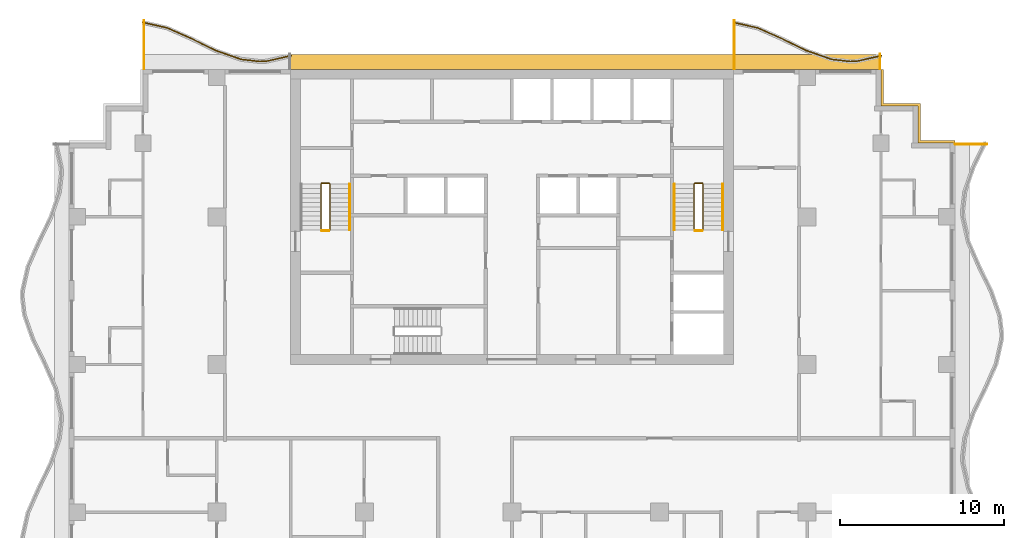
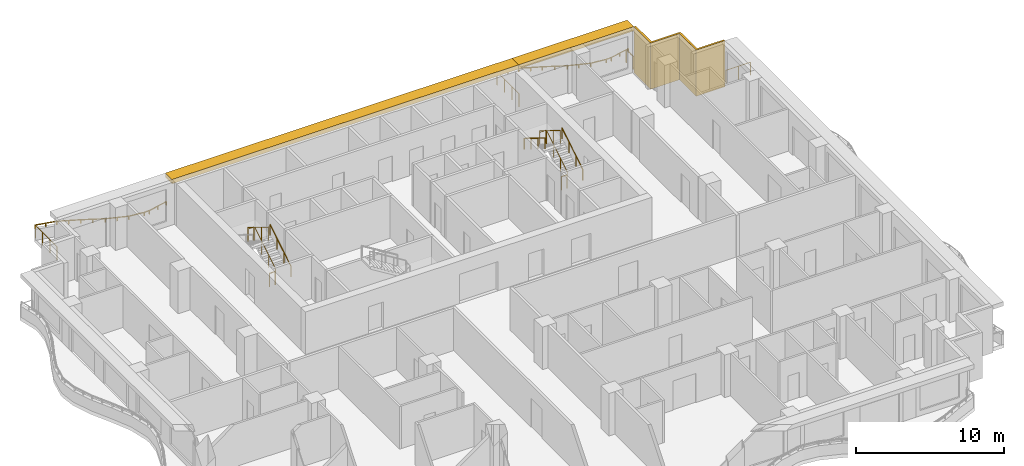
# One storey, part 11 of 11: 13 railings, 3 shading devices.
"""IFC4 building model written with IfcOpenShell, lengths in metres."""

import ifcopenshell
import ifcopenshell.guid

model = None  # the IFC model being written
_history = None  # IfcOwnerHistory: only IFC2X3 demands one
_inside = {}  # id of a spatial element -> (the spatial element, [elements in it])
_under = {}  # id of a project, library or spatial element -> (it, [spatial elements below it])
_declared = {}  # id of a project -> (the project, [libraries it declares])
_typed = {}  # id of a type object -> (the type object, [elements of that type])
_made_of = {}  # id of a material, layer set ... -> (it, [elements and type objects made of it])


def new_model(schema):
    """Start an empty IFC model of exactly this schema.

    Asked for "IFC4X3", IfcOpenShell would pick the latest addendum, in which some entities
    have other attributes; the version numbers below select the first issue.
    IFC2X3 requires an IfcOwnerHistory on every rooted entity: one is made here for all.
    """
    global model, _history
    if schema == "IFC4X3":
        model = ifcopenshell.file(schema_version=(4, 3, 0, 0))
    else:
        model = ifcopenshell.file(schema=schema)
    _inside.clear()
    _under.clear()
    _declared.clear()
    _typed.clear()
    _made_of.clear()
    _history = None
    if model.schema == "IFC2X3":
        org = make("IfcOrganization", Name="unknown")
        user = make(
            "IfcPersonAndOrganization",
            ThePerson=make("IfcPerson", FamilyName="unknown"),
            TheOrganization=org,
        )
        app = make(
            "IfcApplication",
            ApplicationDeveloper=org,
            Version="unknown",
            ApplicationFullName="unknown",
            ApplicationIdentifier="unknown",
        )
        _history = make(
            "IfcOwnerHistory",
            OwningUser=user,
            OwningApplication=app,
            ChangeAction="ADDED",
            CreationDate=0,
        )
    return model


def make(cls, **values):
    """One entity of the class cls with the attributes given. An attribute that is None is left unset."""
    return model.create_entity(
        cls, **{name: value for name, value in values.items() if value is not None}
    )


def rooted(cls, **values):
    """An entity with a GlobalId (a new one), such as an element, a storey or a relation."""
    return make(cls, GlobalId=ifcopenshell.guid.new(), OwnerHistory=_history, **values)


def si_unit(unit_type, name, prefix=None):
    """IfcSIUnit, for example si_unit("LENGTHUNIT", "METRE", prefix="MILLI")."""
    return make("IfcSIUnit", UnitType=unit_type, Prefix=prefix, Name=name)


def assignment(units):
    """IfcUnitAssignment: the units of a project."""
    return None if units is None else make("IfcUnitAssignment", Units=units)


def point(xyz):
    """IfcCartesianPoint."""
    return None if xyz is None else make("IfcCartesianPoint", Coordinates=xyz)


def direction(xyz):
    """IfcDirection."""
    return None if xyz is None else make("IfcDirection", DirectionRatios=xyz)


def frame(location, z_axis=None, x_axis=None):
    """IfcAxis2Placement3D, a coordinate frame: its origin and axes. An axis left out is left unset."""
    return make(
        "IfcAxis2Placement3D",
        Location=point(location),
        Axis=direction(z_axis),
        RefDirection=direction(x_axis),
    )


def frame_2d(location, x_axis=None):
    """IfcAxis2Placement2D, a coordinate frame in the plane: its origin and x axis."""
    return make(
        "IfcAxis2Placement2D", Location=point(location), RefDirection=direction(x_axis)
    )


def origin():
    """The frame at (0, 0, 0) with its axes left unset."""
    return frame((0.0, 0.0, 0.0))


def origin_2d():
    """The frame at (0, 0) in the plane with its x axis left unset."""
    return frame_2d((0.0, 0.0))


def place(relative_to, where):
    """IfcLocalPlacement: puts the frame where relative to a parent placement (None: the world)."""
    return make(
        "IfcLocalPlacement", PlacementRelTo=relative_to, RelativePlacement=where
    )


def context(
    kind, dimensions, precision=None, world=None, true_north=None, identifier=None
):
    """IfcGeometricRepresentationContext, for example the 3D "Model" context."""
    return make(
        "IfcGeometricRepresentationContext",
        ContextIdentifier=identifier,
        ContextType=kind,
        CoordinateSpaceDimension=dimensions,
        Precision=precision,
        WorldCoordinateSystem=world,
        TrueNorth=true_north,
    )


def subcontext(parent, identifier, kind, view, scale=None):
    """IfcGeometricRepresentationSubContext, for example "Body" below "Model"."""
    return make(
        "IfcGeometricRepresentationSubContext",
        ContextIdentifier=identifier,
        ContextType=kind,
        ParentContext=parent,
        TargetScale=scale,
        TargetView=view,
    )


def project(units=None, contexts=None):
    """IfcProject with its units and contexts."""
    return rooted(
        "IfcProject",
        Name="project",
        RepresentationContexts=contexts,
        UnitsInContext=assignment(units),
    )


def spatial(cls, under=None, at=None, **own):
    """A site, building, storey or space (cls), placed at a placement, below another one or the project."""
    s = rooted(cls, ObjectPlacement=at, **own)
    if under is not None:
        _under.setdefault(under.id(), (under, []))[1].append(s)
    return s


def polyline(points):
    """IfcPolyline through the points."""
    return make("IfcPolyline", Points=[point(p) for p in points])


def profile(cls, at=None, kind="AREA", **sizes):
    """A parametric profile (cls). Its sizes go by their IFC names, for example OverallWidth=200.0."""
    return make(cls, ProfileType=kind, Position=at, **sizes)


def rectangle(**sizes):
    """IfcRectangleProfileDef."""
    return profile("IfcRectangleProfileDef", **sizes)


def circle(**sizes):
    """IfcCircleProfileDef."""
    return profile("IfcCircleProfileDef", **sizes)


def outline(outer, holes=None, kind="AREA"):
    """IfcArbitraryClosedProfileDef: a profile drawn as a closed curve; with holes, ...WithVoids."""
    if holes is None:
        return make("IfcArbitraryClosedProfileDef", ProfileType=kind, OuterCurve=outer)
    return make(
        "IfcArbitraryProfileDefWithVoids",
        ProfileType=kind,
        OuterCurve=outer,
        InnerCurves=holes,
    )


def extrude(swept, where, along, depth):
    """IfcExtrudedAreaSolid: the profile swept, set in the frame where, extruded along a direction by depth."""
    return make(
        "IfcExtrudedAreaSolid",
        SweptArea=swept,
        Position=where,
        ExtrudedDirection=direction(along),
        Depth=depth,
    )


def shape(context_of_items, identifier, shape_type, items):
    """IfcShapeRepresentation: the items that make up one representation, for example the "Body"."""
    return make(
        "IfcShapeRepresentation",
        ContextOfItems=context_of_items,
        RepresentationIdentifier=identifier,
        RepresentationType=shape_type,
        Items=items,
    )


def material(Name=None, Category=None):
    """IfcMaterial."""
    return make("IfcMaterial", Name=Name, Category=Category)


def layer(
    of_material, thickness, ventilated=None, Name=None, Category=None, Priority=None
):
    """IfcMaterialLayer: one layer of a wall or slab, of a material (None: an air gap)."""
    return make(
        "IfcMaterialLayer",
        Material=of_material,
        LayerThickness=thickness,
        IsVentilated=ventilated,
        Name=Name,
        Category=Category,
        Priority=Priority,
    )


def layer_set(layers, Name=None):
    """IfcMaterialLayerSet."""
    return make("IfcMaterialLayerSet", MaterialLayers=layers, LayerSetName=Name)


def made_of(thing, what):
    """Note that an element or type object is made of a material, layer set ...; save() writes the relation."""
    if what is not None:
        _made_of.setdefault(what.id(), (what, []))[1].append(thing)
    return thing


def type_object(cls, material=None, **own):
    """A type object (cls), such as IfcWallType, which elements share."""
    return made_of(rooted(cls, **own), material)


def element(
    cls,
    number,
    at=None,
    inside=None,
    cuts=None,
    type_object=None,
    material=None,
    context=None,
    identifier="Body",
    shape_type=None,
    held_by="IfcProductDefinitionShape",
    body=None,
    shapes=None,
    **own,
):
    """One element of the class cls, such as IfcWall. Its Tag is "e" and its number.

    at: its placement. inside: the storey or other place that contains it. cuts: it is an
    opening in that element (IfcRelVoidsElement). A single representation is given by context,
    identifier, shape_type and body (its items); several are given by shapes. held_by: the class
    of the entity that holds the representations. save() writes the other relations.
    """
    e = rooted(cls, Tag="e%d" % number, ObjectPlacement=at, **own)
    if body is not None:
        shapes = [shape(context, identifier, shape_type, body)]
    if shapes is not None:
        e.Representation = make(held_by, Representations=shapes)
    if inside is not None:
        _inside.setdefault(inside.id(), (inside, []))[1].append(e)
    if cuts is not None:
        rooted(
            "IfcRelVoidsElement", RelatingBuildingElement=cuts, RelatedOpeningElement=e
        )
    if type_object is not None:
        _typed.setdefault(type_object.id(), (type_object, []))[1].append(e)
    return made_of(e, material)


def aggregate(whole, parts):
    """IfcRelAggregates: a whole, such as a stair, and the parts it consists of."""
    return rooted("IfcRelAggregates", RelatingObject=whole, RelatedObjects=parts)


def save(model, path):
    """Write the relations noted so far, then the file.

    IfcRelAggregates (storeys below a building ...), IfcRelContainedInSpatialStructure (elements
    in a storey), IfcRelDefinesByType, IfcRelAssociatesMaterial and IfcRelDeclares: one each for
    every whole, place, type object, material and project.
    """
    for whole, parts in _under.values():
        aggregate(whole, parts)
    for where, things in _inside.values():
        rooted(
            "IfcRelContainedInSpatialStructure",
            RelatedElements=things,
            RelatingStructure=where,
        )
    for kind, things in _typed.values():
        rooted("IfcRelDefinesByType", RelatedObjects=things, RelatingType=kind)
    for what, things in _made_of.values():
        rooted("IfcRelAssociatesMaterial", RelatedObjects=things, RelatingMaterial=what)
    for by, libraries in _declared.values():
        rooted("IfcRelDeclares", RelatingContext=by, RelatedDefinitions=libraries)
    model.write(path)


model = new_model("IFC4")

# Units and contexts
model_context = context("Model", 3, precision=1e-05, world=origin(), true_north=direction((0.0, 1.0)))
body_context = subcontext(model_context, "Body", "Model", "MODEL_VIEW")
ifc_project = project(units=[si_unit("LENGTHUNIT", "METRE"), si_unit("AREAUNIT", "SQUARE_METRE"), si_unit("VOLUMEUNIT", "CUBIC_METRE"), si_unit("PLANEANGLEUNIT", "RADIAN"), si_unit("MASSUNIT", "GRAM", prefix="KILO")], contexts=[model_context])

# Site, building, storey
site_placement = place(None, origin())
site = spatial("IfcSite", under=ifc_project, at=site_placement, CompositionType="ELEMENT")
building_placement = place(site_placement, origin())
building = spatial("IfcBuilding", under=site, at=building_placement, Name="Orbiselva Terraces", CompositionType="ELEMENT")
storey_placement = place(building_placement, frame((0.0, 0.0, 199.6)))
storey = spatial("IfcBuildingStorey", under=building, at=storey_placement, Name="L50", CompositionType="ELEMENT", Elevation=199.6)

# Railings
ifc_material_1 = material(Name="Stainless steel", Category="steel")
railing_type_1 = type_object("IfcRailingType", Name="CORE-GUARD-1100", PredefinedType="GUARDRAIL", material=ifc_material_1)
railing_1_placement = place(storey_placement, frame((-11.1, 12.7, 0.172727)))
element("IfcRailing", 1, at=railing_1_placement, inside=storey, type_object=railing_type_1, Name="L50 S1 stair guard 1", PredefinedType="GUARDRAIL", context=body_context, shape_type="SweptSolid", body=[
    extrude(circle(Radius=0.024, at=origin_2d()), frame((0.0, 0.0, 1.081), z_axis=(0.0, 0.851088519012, 0.52502222125), x_axis=(-1.0, 0.0, 0.0)), (0.0, 0.0, 1.0), 3.289905),
    extrude(circle(Radius=0.024, at=origin_2d()), frame((0.0, 2.8, 2.808273), z_axis=(-0.707106781187, 0.707106781187, 0.0), x_axis=(-0.707106781187, -0.707106781187, 0.0)), (0.0, 0.0, 1.0), 0.070711),
    extrude(circle(Radius=0.024, at=origin_2d()), frame((-0.05, 2.85, 2.808273), z_axis=(-1.0, 0.0, 0.0), x_axis=(0.0, -1.0, 0.0)), (0.0, 0.0, 1.0), 0.45),
    extrude(circle(Radius=0.024, at=origin_2d()), frame((-0.5, 2.85, 2.808273), z_axis=(-0.267894925557, -0.267894925557, 0.925453736133), x_axis=(0.707106781187, -0.707106781187, 0.0)), (0.0, 0.0, 1.0), 0.18664),
    extrude(circle(Radius=0.024, at=origin_2d()), frame((-0.55, 2.8, 2.981), z_axis=(0.0, -0.851088519012, 0.52502222125), x_axis=(1.0, 0.0, 0.0)), (0.0, 0.0, 1.0), 3.289905),
    extrude(circle(Radius=0.021, at=origin_2d()), origin(), (0.0, 0.0, 1.0), 1.057),
    extrude(circle(Radius=0.021, at=origin_2d()), frame((0.0, 0.933333, 0.575758)), (0.0, 0.0, 1.0), 1.057),
    extrude(circle(Radius=0.021, at=origin_2d()), frame((0.0, 1.866667, 1.151515)), (0.0, 0.0, 1.0), 1.057),
    extrude(circle(Radius=0.021, at=origin_2d()), frame((0.0, 2.8, 1.727273)), (0.0, 0.0, 1.0), 1.057),
    extrude(circle(Radius=0.021, at=origin_2d()), frame((-0.05, 2.85, 1.727273)), (0.0, 0.0, 1.0), 1.057),
    extrude(circle(Radius=0.021, at=origin_2d()), frame((-0.5, 2.85, 1.727273)), (0.0, 0.0, 1.0), 1.057),
    extrude(circle(Radius=0.021, at=origin_2d()), frame((-0.55, 2.8, 1.9)), (0.0, 0.0, 1.0), 1.057),
    extrude(circle(Radius=0.021, at=origin_2d()), frame((-0.55, 1.866667, 2.475758)), (0.0, 0.0, 1.0), 1.057),
    extrude(circle(Radius=0.021, at=origin_2d()), frame((-0.55, 0.933333, 3.051515)), (0.0, 0.0, 1.0), 1.057),
    extrude(circle(Radius=0.021, at=origin_2d()), frame((-0.55, 0.0, 3.627273)), (0.0, 0.0, 1.0), 1.057),
])
railing_2_placement = place(storey_placement, frame((-11.15, 12.65, 0.0)))
element("IfcRailing", 2, at=railing_2_placement, inside=storey, type_object=railing_type_1, Name="L50 S1 stair guard 2", PredefinedType="GUARDRAIL", context=body_context, shape_type="SweptSolid", body=[
    extrude(circle(Radius=0.024, at=origin_2d()), frame((0.0, 0.0, 1.081), z_axis=(-1.0, 0.0, 0.0), x_axis=(0.0, -1.0, 0.0)), (0.0, 0.0, 1.0), 0.45),
    extrude(circle(Radius=0.021, at=origin_2d()), origin(), (0.0, 0.0, 1.0), 1.057),
    extrude(circle(Radius=0.021, at=origin_2d()), frame((-0.45, 0.0, 0.0)), (0.0, 0.0, 1.0), 1.057),
])
railing_3_placement = place(storey_placement, frame((11.65, 12.7, 0.172727)))
element("IfcRailing", 3, at=railing_3_placement, inside=storey, type_object=railing_type_1, Name="L50 S2 stair guard 1", PredefinedType="GUARDRAIL", context=body_context, shape_type="SweptSolid", body=[
    extrude(circle(Radius=0.024, at=origin_2d()), frame((0.0, 0.0, 1.081), z_axis=(0.0, 0.851088519012, 0.52502222125), x_axis=(-1.0, 0.0, 0.0)), (0.0, 0.0, 1.0), 3.289905),
    extrude(circle(Radius=0.024, at=origin_2d()), frame((0.0, 2.8, 2.808273), z_axis=(-0.707106781187, 0.707106781187, 0.0), x_axis=(-0.707106781187, -0.707106781187, 0.0)), (0.0, 0.0, 1.0), 0.070711),
    extrude(circle(Radius=0.024, at=origin_2d()), frame((-0.05, 2.85, 2.808273), z_axis=(-1.0, 0.0, 0.0), x_axis=(0.0, -1.0, 0.0)), (0.0, 0.0, 1.0), 0.45),
    extrude(circle(Radius=0.024, at=origin_2d()), frame((-0.5, 2.85, 2.808273), z_axis=(-0.267894925557, -0.267894925557, 0.925453736133), x_axis=(0.707106781187, -0.707106781187, 0.0)), (0.0, 0.0, 1.0), 0.18664),
    extrude(circle(Radius=0.024, at=origin_2d()), frame((-0.55, 2.8, 2.981), z_axis=(0.0, -0.851088519012, 0.52502222125), x_axis=(1.0, 0.0, 0.0)), (0.0, 0.0, 1.0), 3.289905),
    extrude(circle(Radius=0.021, at=origin_2d()), origin(), (0.0, 0.0, 1.0), 1.057),
    extrude(circle(Radius=0.021, at=origin_2d()), frame((0.0, 0.933333, 0.575758)), (0.0, 0.0, 1.0), 1.057),
    extrude(circle(Radius=0.021, at=origin_2d()), frame((0.0, 1.866667, 1.151515)), (0.0, 0.0, 1.0), 1.057),
    extrude(circle(Radius=0.021, at=origin_2d()), frame((0.0, 2.8, 1.727273)), (0.0, 0.0, 1.0), 1.057),
    extrude(circle(Radius=0.021, at=origin_2d()), frame((-0.05, 2.85, 1.727273)), (0.0, 0.0, 1.0), 1.057),
    extrude(circle(Radius=0.021, at=origin_2d()), frame((-0.5, 2.85, 1.727273)), (0.0, 0.0, 1.0), 1.057),
    extrude(circle(Radius=0.021, at=origin_2d()), frame((-0.55, 2.8, 1.9)), (0.0, 0.0, 1.0), 1.057),
    extrude(circle(Radius=0.021, at=origin_2d()), frame((-0.55, 1.866667, 2.475758)), (0.0, 0.0, 1.0), 1.057),
    extrude(circle(Radius=0.021, at=origin_2d()), frame((-0.55, 0.933333, 3.051515)), (0.0, 0.0, 1.0), 1.057),
    extrude(circle(Radius=0.021, at=origin_2d()), frame((-0.55, 0.0, 3.627273)), (0.0, 0.0, 1.0), 1.057),
])
railing_4_placement = place(storey_placement, frame((11.6, 12.65, 0.0)))
element("IfcRailing", 4, at=railing_4_placement, inside=storey, type_object=railing_type_1, Name="L50 S2 stair guard 2", PredefinedType="GUARDRAIL", context=body_context, shape_type="SweptSolid", body=[
    extrude(circle(Radius=0.024, at=origin_2d()), frame((0.0, 0.0, 1.081), z_axis=(-1.0, 0.0, 0.0), x_axis=(0.0, -1.0, 0.0)), (0.0, 0.0, 1.0), 0.45),
    extrude(circle(Radius=0.021, at=origin_2d()), origin(), (0.0, 0.0, 1.0), 1.057),
    extrude(circle(Radius=0.021, at=origin_2d()), frame((-0.45, 0.0, 0.0)), (0.0, 0.0, 1.0), 1.057),
])
railing_type_2 = type_object("IfcRailingType", Name="CORE-HANDRAIL-900", PredefinedType="HANDRAIL", material=ifc_material_1)
for number, where, name in (
    (5, (-9.9, 12.7, 0.172727), "L50 S1 stair handrail 1"),
    (6, (12.85, 12.7, 0.172727), "L50 S2 stair handrail 1"),
):
    element("IfcRailing", number, at=place(storey_placement, frame(where)), inside=storey, type_object=railing_type_2, Name=name, PredefinedType="HANDRAIL", context=body_context, shape_type="SweptSolid", body=[
        extrude(circle(Radius=0.024, at=origin_2d()), frame((0.0, 0.0, 0.876), z_axis=(0.0, 0.851088519012, 0.52502222125), x_axis=(-1.0, 0.0, 0.0)), (0.0, 0.0, 1.0), 3.289905),
        extrude(circle(Radius=0.021, at=origin_2d()), origin(), (0.0, 0.0, 1.0), 0.852),
        extrude(circle(Radius=0.021, at=origin_2d()), frame((0.0, 0.933333, 0.575758)), (0.0, 0.0, 1.0), 0.852),
        extrude(circle(Radius=0.021, at=origin_2d()), frame((0.0, 1.866667, 1.151515)), (0.0, 0.0, 1.0), 0.852),
        extrude(circle(Radius=0.021, at=origin_2d()), frame((0.0, 2.8, 1.727273)), (0.0, 0.0, 1.0), 0.852),
    ])
railing_5_placement = place(storey_placement, frame((9.9, 15.5, 2.072727)))
element("IfcRailing", 7, at=railing_5_placement, inside=storey, type_object=railing_type_2, Name="L50 S2 stair handrail 2", PredefinedType="HANDRAIL", context=body_context, shape_type="SweptSolid", body=[
    extrude(circle(Radius=0.024, at=origin_2d()), frame((0.0, 0.0, 0.876), z_axis=(0.0, -0.851088519012, 0.52502222125), x_axis=(1.0, 0.0, 0.0)), (0.0, 0.0, 1.0), 3.289905),
    extrude(circle(Radius=0.021, at=origin_2d()), origin(), (0.0, 0.0, 1.0), 0.852),
    extrude(circle(Radius=0.021, at=origin_2d()), frame((0.0, -0.933333, 0.575758)), (0.0, 0.0, 1.0), 0.852),
    extrude(circle(Radius=0.021, at=origin_2d()), frame((0.0, -1.866667, 1.151515)), (0.0, 0.0, 1.0), 0.852),
    extrude(circle(Radius=0.021, at=origin_2d()), frame((0.0, -2.8, 1.727273)), (0.0, 0.0, 1.0), 0.852),
])
ifc_material_2 = material(Name="Bonded two-ply safety glass balustrade, stainless steel posts", Category="steel")
railing_type_3 = type_object("IfcRailingType", Name="ENV-BALUSTRADE-1200", PredefinedType="BALUSTRADE", material=ifc_material_2)
railing_6_placement = place(storey_placement, frame((22.527377, 23.329507, 0.9)))
element("IfcRailing", 8, at=railing_6_placement, inside=storey, type_object=railing_type_3, Name="Balcony balustrade L50 NE", PredefinedType="BALUSTRADE", context=body_context, shape_type="SweptSolid", body=[
    extrude(outline(polyline([(0.028868, 0.0), (0.014434, 0.025), (-0.014434, 0.025), (-0.028868, 0.0), (-0.014434, -0.025), (0.014434, -0.025), (0.028868, 0.0)])), frame((0.0, 0.0, 0.275), z_axis=(-0.97572138316, -0.219015484484, 0.0), x_axis=(0.219015484484, -0.97572138316, 0.0)), (0.0, 0.0, 1.0), 1.548694),
    extrude(outline(polyline([(0.028868, 0.0), (0.014434, 0.025), (-0.014434, 0.025), (-0.028868, 0.0), (-0.014434, -0.025), (0.014434, -0.025), (0.028868, 0.0)])), frame((-1.511094, -0.339188, 0.275), z_axis=(-0.999224734286, -0.03936915532, 0.0), x_axis=(0.03936915532, -0.999224734286, 0.0)), (0.0, 0.0, 1.0), 0.396376),
    extrude(outline(polyline([(0.028868, 0.0), (0.014434, 0.025), (-0.014434, 0.025), (-0.028868, 0.0), (-0.014434, -0.025), (0.014434, -0.025), (0.028868, 0.0)])), frame((-1.907163, -0.354793, 0.275), z_axis=(-0.993309551734, 0.115482182324, 0.0), x_axis=(-0.115482182324, -0.993309551734, 0.0)), (0.0, 0.0, 1.0), 1.156135),
    extrude(outline(polyline([(0.028868, 0.0), (0.014434, 0.025), (-0.014434, 0.025), (-0.028868, 0.0), (-0.014434, -0.025), (0.014434, -0.025), (0.028868, 0.0)])), frame((-3.055563, -0.22128, 0.275), z_axis=(-0.943972332783, 0.330024597479, 0.0), x_axis=(-0.330024597479, -0.943972332783, 0.0)), (0.0, 0.0, 1.0), 1.610253),
    extrude(outline(polyline([(0.028868, 0.0), (0.014434, 0.025), (-0.014434, 0.025), (-0.028868, 0.0), (-0.014434, -0.025), (0.014434, -0.025), (0.028868, 0.0)])), frame((-4.575597, 0.310143, 0.275), z_axis=(-0.898578870221, 0.438812048596, 0.0), x_axis=(-0.438812048596, -0.898578870221, 0.0)), (0.0, 0.0, 1.0), 1.674225),
    extrude(outline(polyline([(0.028868, 0.0), (0.014434, 0.025), (-0.014434, 0.025), (-0.028868, 0.0), (-0.014434, -0.025), (0.014434, -0.025), (0.028868, 0.0)])), frame((-6.08002, 1.044813, 0.275), z_axis=(-0.915133363686, 0.403151245402, 0.0), x_axis=(-0.403151245402, -0.915133363686, 0.0)), (0.0, 0.0, 1.0), 1.624475),
    extrude(outline(polyline([(0.028868, 0.0), (0.014434, 0.025), (-0.014434, 0.025), (-0.028868, 0.0), (-0.014434, -0.025), (0.014434, -0.025), (0.028868, 0.0)])), frame((-7.566631, 1.699722, 0.275), z_axis=(-0.975721356559, 0.219015602994, 0.0), x_axis=(-0.219015602994, -0.975721356559, 0.0)), (0.0, 0.0, 1.0), 1.525152),
    extrude(rectangle(XDim=0.05, YDim=0.05, at=origin_2d()), origin(), (0.0, 0.0, 1.0), 0.25),
    extrude(rectangle(XDim=0.05, YDim=0.05, at=origin_2d()), frame((-0.755547, -0.169594, 0.0)), (0.0, 0.0, 1.0), 0.25),
    extrude(rectangle(XDim=0.05, YDim=0.05, at=origin_2d()), frame((-1.511094, -0.339188, 0.0)), (0.0, 0.0, 1.0), 0.25),
    extrude(rectangle(XDim=0.05, YDim=0.05, at=origin_2d()), frame((-1.907163, -0.354793, 0.0)), (0.0, 0.0, 1.0), 0.25),
    extrude(rectangle(XDim=0.05, YDim=0.05, at=origin_2d()), frame((-3.055563, -0.22128, 0.0)), (0.0, 0.0, 1.0), 0.25),
    extrude(rectangle(XDim=0.05, YDim=0.05, at=origin_2d()), frame((-3.81558, 0.044431, 0.0)), (0.0, 0.0, 1.0), 0.25),
    extrude(rectangle(XDim=0.05, YDim=0.05, at=origin_2d()), frame((-4.575597, 0.310143, 0.0)), (0.0, 0.0, 1.0), 0.25),
    extrude(rectangle(XDim=0.05, YDim=0.05, at=origin_2d()), frame((-5.327809, 0.677478, 0.0)), (0.0, 0.0, 1.0), 0.25),
    extrude(rectangle(XDim=0.05, YDim=0.05, at=origin_2d()), frame((-6.08002, 1.044813, 0.0)), (0.0, 0.0, 1.0), 0.25),
    extrude(rectangle(XDim=0.05, YDim=0.05, at=origin_2d()), frame((-6.823326, 1.372268, 0.0)), (0.0, 0.0, 1.0), 0.25),
    extrude(rectangle(XDim=0.05, YDim=0.05, at=origin_2d()), frame((-7.566631, 1.699722, 0.0)), (0.0, 0.0, 1.0), 0.25),
    extrude(rectangle(XDim=0.05, YDim=0.05, at=origin_2d()), frame((-8.310693, 1.866738, 0.0)), (0.0, 0.0, 1.0), 0.25),
    extrude(rectangle(XDim=0.05, YDim=0.05, at=origin_2d()), frame((-9.054754, 2.033754, 0.0)), (0.0, 0.0, 1.0), 0.25),
])
railing_7_placement = place(storey_placement, frame((-13.472623, 23.329507, 0.9)))
element("IfcRailing", 9, at=railing_7_placement, inside=storey, type_object=railing_type_3, Name="Balcony balustrade L50 NW", PredefinedType="BALUSTRADE", context=body_context, shape_type="SweptSolid", body=[
    extrude(outline(polyline([(0.028868, 0.0), (0.014434, 0.025), (-0.014434, 0.025), (-0.028868, 0.0), (-0.014434, -0.025), (0.014434, -0.025), (0.028868, 0.0)])), frame((0.0, 0.0, 0.275), z_axis=(-0.97572138316, -0.219015484484, 0.0), x_axis=(0.219015484484, -0.97572138316, 0.0)), (0.0, 0.0, 1.0), 1.548694),
    extrude(outline(polyline([(0.028868, 0.0), (0.014434, 0.025), (-0.014434, 0.025), (-0.028868, 0.0), (-0.014434, -0.025), (0.014434, -0.025), (0.028868, 0.0)])), frame((-1.511094, -0.339188, 0.275), z_axis=(-0.999224734286, -0.03936915532, 0.0), x_axis=(0.03936915532, -0.999224734286, 0.0)), (0.0, 0.0, 1.0), 0.396376),
    extrude(outline(polyline([(0.028868, 0.0), (0.014434, 0.025), (-0.014434, 0.025), (-0.028868, 0.0), (-0.014434, -0.025), (0.014434, -0.025), (0.028868, 0.0)])), frame((-1.907163, -0.354793, 0.275), z_axis=(-0.993309551734, 0.115482182324, 0.0), x_axis=(-0.115482182324, -0.993309551734, 0.0)), (0.0, 0.0, 1.0), 1.156135),
    extrude(outline(polyline([(0.028868, 0.0), (0.014434, 0.025), (-0.014434, 0.025), (-0.028868, 0.0), (-0.014434, -0.025), (0.014434, -0.025), (0.028868, 0.0)])), frame((-3.055563, -0.22128, 0.275), z_axis=(-0.943972332783, 0.330024597479, 0.0), x_axis=(-0.330024597479, -0.943972332783, 0.0)), (0.0, 0.0, 1.0), 1.610253),
    extrude(outline(polyline([(0.028868, 0.0), (0.014434, 0.025), (-0.014434, 0.025), (-0.028868, 0.0), (-0.014434, -0.025), (0.014434, -0.025), (0.028868, 0.0)])), frame((-4.575597, 0.310143, 0.275), z_axis=(-0.898578870221, 0.438812048596, 0.0), x_axis=(-0.438812048596, -0.898578870221, 0.0)), (0.0, 0.0, 1.0), 1.674225),
    extrude(outline(polyline([(0.028868, 0.0), (0.014434, 0.025), (-0.014434, 0.025), (-0.028868, 0.0), (-0.014434, -0.025), (0.014434, -0.025), (0.028868, 0.0)])), frame((-6.08002, 1.044813, 0.275), z_axis=(-0.915133363686, 0.403151245402, 0.0), x_axis=(-0.403151245402, -0.915133363686, 0.0)), (0.0, 0.0, 1.0), 1.624475),
    extrude(outline(polyline([(0.028868, 0.0), (0.014434, 0.025), (-0.014434, 0.025), (-0.028868, 0.0), (-0.014434, -0.025), (0.014434, -0.025), (0.028868, 0.0)])), frame((-7.566631, 1.699722, 0.275), z_axis=(-0.975721356559, 0.219015602994, 0.0), x_axis=(-0.219015602994, -0.975721356559, 0.0)), (0.0, 0.0, 1.0), 1.525152),
    extrude(rectangle(XDim=0.05, YDim=0.05, at=origin_2d()), origin(), (0.0, 0.0, 1.0), 0.25),
    extrude(rectangle(XDim=0.05, YDim=0.05, at=origin_2d()), frame((-0.755547, -0.169594, 0.0)), (0.0, 0.0, 1.0), 0.25),
    extrude(rectangle(XDim=0.05, YDim=0.05, at=origin_2d()), frame((-1.511094, -0.339188, 0.0)), (0.0, 0.0, 1.0), 0.25),
    extrude(rectangle(XDim=0.05, YDim=0.05, at=origin_2d()), frame((-1.907163, -0.354793, 0.0)), (0.0, 0.0, 1.0), 0.25),
    extrude(rectangle(XDim=0.05, YDim=0.05, at=origin_2d()), frame((-3.055563, -0.22128, 0.0)), (0.0, 0.0, 1.0), 0.25),
    extrude(rectangle(XDim=0.05, YDim=0.05, at=origin_2d()), frame((-3.81558, 0.044431, 0.0)), (0.0, 0.0, 1.0), 0.25),
    extrude(rectangle(XDim=0.05, YDim=0.05, at=origin_2d()), frame((-4.575597, 0.310143, 0.0)), (0.0, 0.0, 1.0), 0.25),
    extrude(rectangle(XDim=0.05, YDim=0.05, at=origin_2d()), frame((-5.327808, 0.677478, 0.0)), (0.0, 0.0, 1.0), 0.25),
    extrude(rectangle(XDim=0.05, YDim=0.05, at=origin_2d()), frame((-6.08002, 1.044813, 0.0)), (0.0, 0.0, 1.0), 0.25),
    extrude(rectangle(XDim=0.05, YDim=0.05, at=origin_2d()), frame((-6.823325, 1.372268, 0.0)), (0.0, 0.0, 1.0), 0.25),
    extrude(rectangle(XDim=0.05, YDim=0.05, at=origin_2d()), frame((-7.566631, 1.699722, 0.0)), (0.0, 0.0, 1.0), 0.25),
    extrude(rectangle(XDim=0.05, YDim=0.05, at=origin_2d()), frame((-8.310692, 1.866738, 0.0)), (0.0, 0.0, 1.0), 0.25),
    extrude(rectangle(XDim=0.05, YDim=0.05, at=origin_2d()), frame((-9.054754, 2.033754, 0.0)), (0.0, 0.0, 1.0), 0.25),
])
ifc_material_3 = material(Name="Stainless steel rail and posts", Category="steel")
railing_type_4 = type_object("IfcRailingType", Name="ENV-GUARD-1105", PredefinedType="BALUSTRADE", material=ifc_material_3)
railing_8_placement = place(storey_placement, frame((28.957877, 17.94, 0.0)))
element("IfcRailing", 10, at=railing_8_placement, inside=storey, type_object=railing_type_4, Name="Balcony end guard L50 E", PredefinedType="BALUSTRADE", context=body_context, shape_type="SweptSolid", body=[
    extrude(outline(polyline([(0.028868, 0.0), (0.014434, 0.025), (-0.014434, 0.025), (-0.028868, 0.0), (-0.014434, -0.025), (0.014434, -0.025), (0.028868, 0.0)])), frame((0.0, 0.0, 1.08), z_axis=(-1.0, 0.0, 0.0), x_axis=(0.0, -1.0, 0.0)), (0.0, 0.0, 1.0), 1.932877),
    extrude(rectangle(XDim=0.05, YDim=0.05, at=origin_2d()), origin(), (0.0, 0.0, 1.0), 1.055),
    extrude(rectangle(XDim=0.05, YDim=0.05, at=origin_2d()), frame((-0.966439, 0.0, 0.0)), (0.0, 0.0, 1.0), 1.055),
    extrude(rectangle(XDim=0.05, YDim=0.05, at=origin_2d()), frame((-1.932877, 0.0, 0.0)), (0.0, 0.0, 1.0), 1.055),
])
railing_9_placement = place(storey_placement, frame((22.44, 23.430416, 0.0)))
element("IfcRailing", 11, at=railing_9_placement, inside=storey, type_object=railing_type_4, Name="Balcony end guard L50 NE", PredefinedType="BALUSTRADE", context=body_context, shape_type="SweptSolid", body=[
    extrude(outline(polyline([(0.028868, 0.0), (0.014434, 0.025), (-0.014434, 0.025), (-0.028868, 0.0), (-0.014434, -0.025), (0.014434, -0.025), (0.028868, 0.0)])), frame((0.0, 0.0, 1.08), z_axis=(0.0, -1.0, 0.0), x_axis=(1.0, 0.0, 0.0)), (0.0, 0.0, 1.0), 0.905416),
    extrude(rectangle(XDim=0.05, YDim=0.05, at=origin_2d()), origin(), (0.0, 0.0, 1.0), 1.055),
    extrude(rectangle(XDim=0.05, YDim=0.05, at=origin_2d()), frame((0.0, -0.905416, 0.0)), (0.0, 0.0, 1.0), 1.055),
])
for number, where, name in (
    (12, (13.56, 25.480134, 0.0), "Balcony end guard L50 NE"),
    (13, (-22.44, 25.480134, 0.0), "Balcony end guard L50 NW"),
):
    element("IfcRailing", number, at=place(storey_placement, frame(where)), inside=storey, type_object=railing_type_4, Name=name, PredefinedType="BALUSTRADE", context=body_context, shape_type="SweptSolid", body=[
        extrude(outline(polyline([(0.028868, 0.0), (0.014434, 0.025), (-0.014434, 0.025), (-0.028868, 0.0), (-0.014434, -0.025), (0.014434, -0.025), (0.028868, 0.0)])), frame((0.0, 0.0, 1.08), z_axis=(0.0, -1.0, 0.0), x_axis=(1.0, 0.0, 0.0)), (0.0, 0.0, 1.0), 2.955134),
        extrude(rectangle(XDim=0.05, YDim=0.05, at=origin_2d()), origin(), (0.0, 0.0, 1.0), 1.055),
        extrude(rectangle(XDim=0.05, YDim=0.05, at=origin_2d()), frame((0.0, -0.985045, 0.0)), (0.0, 0.0, 1.0), 1.055),
        extrude(rectangle(XDim=0.05, YDim=0.05, at=origin_2d()), frame((0.0, -1.970089, 0.0)), (0.0, 0.0, 1.0), 1.055),
        extrude(rectangle(XDim=0.05, YDim=0.05, at=origin_2d()), frame((0.0, -2.955134, 0.0)), (0.0, 0.0, 1.0), 1.055),
    ])

# Shading devices
ifc_material_4 = material(Name="Terracotta louvre screen", Category="masonry")
ifc_layer_1 = layer(ifc_material_4, 0.15)
ifc_layer_set_1 = layer_set([ifc_layer_1], Name="Terracotta louvre screen")
shading_device_type_1 = type_object("IfcShadingDeviceType", Name="ENV-SCREEN-150", PredefinedType="USERDEFINED", material=ifc_layer_set_1)
shading_device_1_placement = place(storey_placement, frame((0.0, 0.0, -0.3)))
element("IfcShadingDevice", 14, at=shading_device_1_placement, inside=storey, type_object=shading_device_type_1, Name="Louvre screen L50 NE", ObjectType="SCREEN", PredefinedType="USERDEFINED", context=body_context, shape_type="SweptSolid", body=[
    extrude(outline(polyline([(27.0, 18.15), (24.9, 18.15), (24.9, 20.4), (22.65, 20.4), (22.65, 22.5), (22.5, 22.5), (22.5, 20.25), (24.75, 20.25), (24.75, 18.0), (27.0, 18.0), (27.0, 18.15)])), origin(), (0.0, 0.0, 1.0), 3.8),
])
ifc_material_5 = material(Name="Terracotta baguette sunshade", Category="masonry")
ifc_layer_2 = layer(ifc_material_5, 0.35)
ifc_layer_set_2 = layer_set([ifc_layer_2], Name="Terracotta baguette sunshade")
shading_device_type_2 = type_object("IfcShadingDeviceType", Name="ENV-SUNSHADE-900x350", PredefinedType="USERDEFINED", material=ifc_layer_set_2)
shading_device_2_placement = place(storey_placement, frame((0.0, 0.0, 3.15)))
element("IfcShadingDevice", 15, at=shading_device_2_placement, inside=storey, type_object=shading_device_type_2, Name="Sunshade band L50 NE", ObjectType="SUNSHADE", PredefinedType="USERDEFINED", context=body_context, shape_type="SweptSolid", body=[
    extrude(outline(polyline([(22.5, 23.4), (13.5, 23.4), (13.5, 22.5), (22.5, 22.5), (22.5, 23.4)])), origin(), (0.0, 0.0, 1.0), 0.35),
])
shading_device_3_placement = place(storey_placement, frame((0.0, 0.0, 3.15)))
element("IfcShadingDevice", 16, at=shading_device_3_placement, inside=storey, type_object=shading_device_type_2, Name="Sunshade band L50 CORE NORTH", ObjectType="SUNSHADE", PredefinedType="USERDEFINED", context=body_context, shape_type="SweptSolid", body=[
    extrude(outline(polyline([(13.5, 23.4), (-13.5, 23.4), (-13.5, 22.5), (13.5, 22.5), (13.5, 23.4)])), origin(), (0.0, 0.0, 1.0), 0.35),
])

save(model, "model.ifc")
